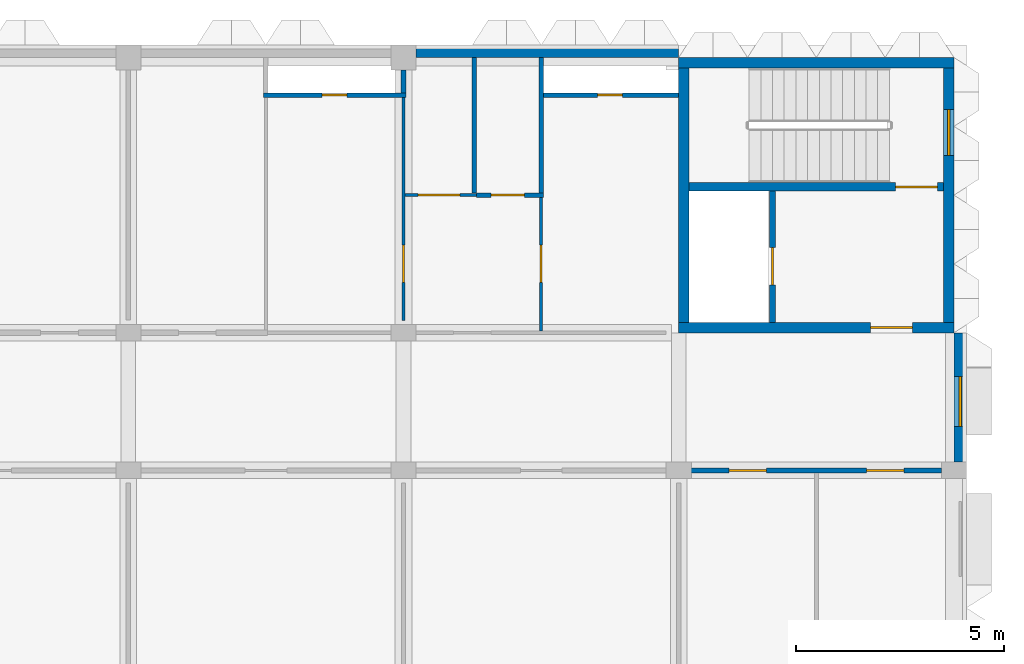
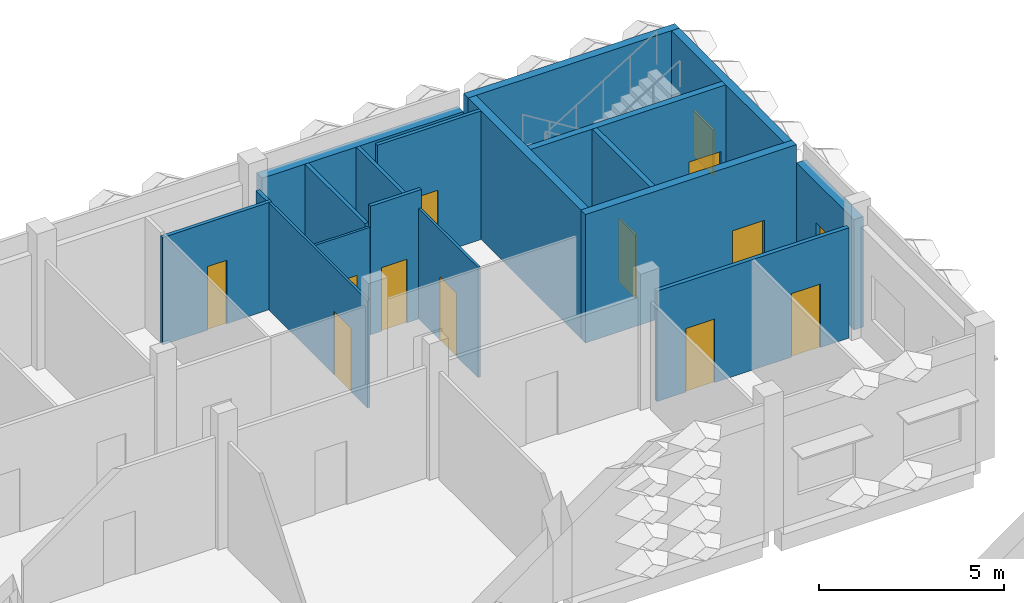
# One storey, part 39 of 87: 18 walls, 11 doors, 2 windows, 13 openings.
"""IFC4 building model written with IfcOpenShell, lengths in metres."""

import ifcopenshell
import ifcopenshell.guid

model = None  # the IFC model being written
_history = None  # IfcOwnerHistory: only IFC2X3 demands one
_inside = {}  # id of a spatial element -> (the spatial element, [elements in it])
_under = {}  # id of a project, library or spatial element -> (it, [spatial elements below it])
_declared = {}  # id of a project -> (the project, [libraries it declares])
_typed = {}  # id of a type object -> (the type object, [elements of that type])
_made_of = {}  # id of a material, layer set ... -> (it, [elements and type objects made of it])


def new_model(schema):
    """Start an empty IFC model of exactly this schema.

    Asked for "IFC4X3", IfcOpenShell would pick the latest addendum, in which some entities
    have other attributes; the version numbers below select the first issue.
    IFC2X3 requires an IfcOwnerHistory on every rooted entity: one is made here for all.
    """
    global model, _history
    if schema == "IFC4X3":
        model = ifcopenshell.file(schema_version=(4, 3, 0, 0))
    else:
        model = ifcopenshell.file(schema=schema)
    _inside.clear()
    _under.clear()
    _declared.clear()
    _typed.clear()
    _made_of.clear()
    _history = None
    if model.schema == "IFC2X3":
        org = make("IfcOrganization", Name="unknown")
        user = make(
            "IfcPersonAndOrganization",
            ThePerson=make("IfcPerson", FamilyName="unknown"),
            TheOrganization=org,
        )
        app = make(
            "IfcApplication",
            ApplicationDeveloper=org,
            Version="unknown",
            ApplicationFullName="unknown",
            ApplicationIdentifier="unknown",
        )
        _history = make(
            "IfcOwnerHistory",
            OwningUser=user,
            OwningApplication=app,
            ChangeAction="ADDED",
            CreationDate=0,
        )
    return model


def make(cls, **values):
    """One entity of the class cls with the attributes given. An attribute that is None is left unset."""
    return model.create_entity(
        cls, **{name: value for name, value in values.items() if value is not None}
    )


def rooted(cls, **values):
    """An entity with a GlobalId (a new one), such as an element, a storey or a relation."""
    return make(cls, GlobalId=ifcopenshell.guid.new(), OwnerHistory=_history, **values)


def si_unit(unit_type, name, prefix=None):
    """IfcSIUnit, for example si_unit("LENGTHUNIT", "METRE", prefix="MILLI")."""
    return make("IfcSIUnit", UnitType=unit_type, Prefix=prefix, Name=name)


def assignment(units):
    """IfcUnitAssignment: the units of a project."""
    return None if units is None else make("IfcUnitAssignment", Units=units)


def point(xyz):
    """IfcCartesianPoint."""
    return None if xyz is None else make("IfcCartesianPoint", Coordinates=xyz)


def direction(xyz):
    """IfcDirection."""
    return None if xyz is None else make("IfcDirection", DirectionRatios=xyz)


def frame(location, z_axis=None, x_axis=None):
    """IfcAxis2Placement3D, a coordinate frame: its origin and axes. An axis left out is left unset."""
    return make(
        "IfcAxis2Placement3D",
        Location=point(location),
        Axis=direction(z_axis),
        RefDirection=direction(x_axis),
    )


def frame_2d(location, x_axis=None):
    """IfcAxis2Placement2D, a coordinate frame in the plane: its origin and x axis."""
    return make(
        "IfcAxis2Placement2D", Location=point(location), RefDirection=direction(x_axis)
    )


def origin():
    """The frame at (0, 0, 0) with its axes left unset."""
    return frame((0.0, 0.0, 0.0))


def place(relative_to, where):
    """IfcLocalPlacement: puts the frame where relative to a parent placement (None: the world)."""
    return make(
        "IfcLocalPlacement", PlacementRelTo=relative_to, RelativePlacement=where
    )


def context(
    kind, dimensions, precision=None, world=None, true_north=None, identifier=None
):
    """IfcGeometricRepresentationContext, for example the 3D "Model" context."""
    return make(
        "IfcGeometricRepresentationContext",
        ContextIdentifier=identifier,
        ContextType=kind,
        CoordinateSpaceDimension=dimensions,
        Precision=precision,
        WorldCoordinateSystem=world,
        TrueNorth=true_north,
    )


def subcontext(parent, identifier, kind, view, scale=None):
    """IfcGeometricRepresentationSubContext, for example "Body" below "Model"."""
    return make(
        "IfcGeometricRepresentationSubContext",
        ContextIdentifier=identifier,
        ContextType=kind,
        ParentContext=parent,
        TargetScale=scale,
        TargetView=view,
    )


def project(units=None, contexts=None):
    """IfcProject with its units and contexts."""
    return rooted(
        "IfcProject",
        Name="project",
        RepresentationContexts=contexts,
        UnitsInContext=assignment(units),
    )


def spatial(cls, under=None, at=None, **own):
    """A site, building, storey or space (cls), placed at a placement, below another one or the project."""
    s = rooted(cls, ObjectPlacement=at, **own)
    if under is not None:
        _under.setdefault(under.id(), (under, []))[1].append(s)
    return s


def profile(cls, at=None, kind="AREA", **sizes):
    """A parametric profile (cls). Its sizes go by their IFC names, for example OverallWidth=200.0."""
    return make(cls, ProfileType=kind, Position=at, **sizes)


def rectangle(**sizes):
    """IfcRectangleProfileDef."""
    return profile("IfcRectangleProfileDef", **sizes)


def extrude(swept, where, along, depth):
    """IfcExtrudedAreaSolid: the profile swept, set in the frame where, extruded along a direction by depth."""
    return make(
        "IfcExtrudedAreaSolid",
        SweptArea=swept,
        Position=where,
        ExtrudedDirection=direction(along),
        Depth=depth,
    )


def shape(context_of_items, identifier, shape_type, items):
    """IfcShapeRepresentation: the items that make up one representation, for example the "Body"."""
    return make(
        "IfcShapeRepresentation",
        ContextOfItems=context_of_items,
        RepresentationIdentifier=identifier,
        RepresentationType=shape_type,
        Items=items,
    )


def material(Name=None, Category=None):
    """IfcMaterial."""
    return make("IfcMaterial", Name=Name, Category=Category)


def layer(
    of_material, thickness, ventilated=None, Name=None, Category=None, Priority=None
):
    """IfcMaterialLayer: one layer of a wall or slab, of a material (None: an air gap)."""
    return make(
        "IfcMaterialLayer",
        Material=of_material,
        LayerThickness=thickness,
        IsVentilated=ventilated,
        Name=Name,
        Category=Category,
        Priority=Priority,
    )


def layer_set(layers, Name=None):
    """IfcMaterialLayerSet."""
    return make("IfcMaterialLayerSet", MaterialLayers=layers, LayerSetName=Name)


def made_of(thing, what):
    """Note that an element or type object is made of a material, layer set ...; save() writes the relation."""
    if what is not None:
        _made_of.setdefault(what.id(), (what, []))[1].append(thing)
    return thing


def type_object(cls, material=None, **own):
    """A type object (cls), such as IfcWallType, which elements share."""
    return made_of(rooted(cls, **own), material)


def element(
    cls,
    number,
    at=None,
    inside=None,
    cuts=None,
    type_object=None,
    material=None,
    context=None,
    identifier="Body",
    shape_type=None,
    held_by="IfcProductDefinitionShape",
    body=None,
    shapes=None,
    **own,
):
    """One element of the class cls, such as IfcWall. Its Tag is "e" and its number.

    at: its placement. inside: the storey or other place that contains it. cuts: it is an
    opening in that element (IfcRelVoidsElement). A single representation is given by context,
    identifier, shape_type and body (its items); several are given by shapes. held_by: the class
    of the entity that holds the representations. save() writes the other relations.
    """
    e = rooted(cls, Tag="e%d" % number, ObjectPlacement=at, **own)
    if body is not None:
        shapes = [shape(context, identifier, shape_type, body)]
    if shapes is not None:
        e.Representation = make(held_by, Representations=shapes)
    if inside is not None:
        _inside.setdefault(inside.id(), (inside, []))[1].append(e)
    if cuts is not None:
        rooted(
            "IfcRelVoidsElement", RelatingBuildingElement=cuts, RelatedOpeningElement=e
        )
    if type_object is not None:
        _typed.setdefault(type_object.id(), (type_object, []))[1].append(e)
    return made_of(e, material)


def fill(opening, filler):
    """IfcRelFillsElement: the door or window that sits in an opening."""
    return rooted(
        "IfcRelFillsElement",
        RelatingOpeningElement=opening,
        RelatedBuildingElement=filler,
    )


def aggregate(whole, parts):
    """IfcRelAggregates: a whole, such as a stair, and the parts it consists of."""
    return rooted("IfcRelAggregates", RelatingObject=whole, RelatedObjects=parts)


def save(model, path):
    """Write the relations noted so far, then the file.

    IfcRelAggregates (storeys below a building ...), IfcRelContainedInSpatialStructure (elements
    in a storey), IfcRelDefinesByType, IfcRelAssociatesMaterial and IfcRelDeclares: one each for
    every whole, place, type object, material and project.
    """
    for whole, parts in _under.values():
        aggregate(whole, parts)
    for where, things in _inside.values():
        rooted(
            "IfcRelContainedInSpatialStructure",
            RelatedElements=things,
            RelatingStructure=where,
        )
    for kind, things in _typed.values():
        rooted("IfcRelDefinesByType", RelatedObjects=things, RelatingType=kind)
    for what, things in _made_of.values():
        rooted("IfcRelAssociatesMaterial", RelatedObjects=things, RelatingMaterial=what)
    for by, libraries in _declared.values():
        rooted("IfcRelDeclares", RelatingContext=by, RelatedDefinitions=libraries)
    model.write(path)


model = new_model("IFC4")

# Units and contexts
model_context = context("Model", 3, precision=1e-05, world=origin(), true_north=direction((0.0, 1.0)))
body_context = subcontext(model_context, "Body", "Model", "MODEL_VIEW")
ifc_project = project(units=[si_unit("LENGTHUNIT", "METRE"), si_unit("AREAUNIT", "SQUARE_METRE"), si_unit("VOLUMEUNIT", "CUBIC_METRE"), si_unit("PLANEANGLEUNIT", "RADIAN"), si_unit("MASSUNIT", "GRAM", prefix="KILO")], contexts=[model_context])

# Site, building, storey
site_placement = place(None, origin())
site = spatial("IfcSite", under=ifc_project, at=site_placement, CompositionType="ELEMENT")
building_placement = place(site_placement, origin())
building = spatial("IfcBuilding", under=site, at=building_placement, Name="Lantern Court Research Institute", CompositionType="ELEMENT")
storey_placement = place(building_placement, frame((0.0, 0.0, 5.39990234375)))
storey = spatial("IfcBuildingStorey", under=building, at=storey_placement, Name="L01", CompositionType="ELEMENT", Elevation=5.39990234375)

# Wall, opening, window
ifc_material_1 = material(Name="Concrete C30/37", Category="concrete")
ifc_layer_1 = layer(ifc_material_1, 0.300048828125)
ifc_layer_set_1 = layer_set([ifc_layer_1], Name="Concrete C30/37")
wall_type_1 = type_object("IfcWallType", Name="Insulated concrete infill wall 300", PredefinedType="STANDARD", material=ifc_layer_set_1)
wall_1_placement = place(storey_placement, frame((79.35009765625, 92.39990234375, 0.0), z_axis=(0.0, 0.0, 1.0), x_axis=(0.0, -1.0, 0.0)))
wall_1 = element("IfcWall", 1, at=wall_1_placement, inside=storey, type_object=wall_type_1, Name="Exterior wall EW108", PredefinedType="STANDARD", context=body_context, shape_type="SweptSolid", body=[
    extrude(rectangle(XDim=3.099853515625, YDim=0.300048828125, at=frame_2d((1.5498046875, 0.0))), origin(), (0.0, 0.0, 1.0), 3.650146484375),
])
opening_1_placement = place(wall_1_placement, frame((1.050048828125, 0.0, 1.10009765625)))
opening_1 = element("IfcOpeningElement", 2, at=opening_1_placement, cuts=wall_1, Name="Opening W05", PredefinedType="OPENING", context=body_context, shape_type="SweptSolid", body=[
    extrude(rectangle(XDim=1.199951171875, YDim=1.199951171875, at=frame_2d((0.60009765625, 0.60009765625))), frame((0.0, 0.159912109375, 0.0), z_axis=(0.0, -1.0, 0.0), x_axis=(1.0, 0.0, 0.0)), (0.0, 0.0, 1.0), 0.320068359375),
])
ifc_material_2 = material(Name="Aluminium frame with laminated low-emissivity glazing", Category="aluminium")
window_type_1 = type_object("IfcWindowType", Name="Corridor end window 1200 x 1200", PartitioningType="SINGLE_PANEL", PredefinedType="WINDOW", material=ifc_material_2)
window_1_placement = place(opening_1_placement, origin())
window_1 = element("IfcWindow", 3, at=window_1_placement, inside=storey, type_object=window_type_1, Name="Window W05 V6E L01", OverallHeight=1.199951171875, OverallWidth=1.199951171875, PartitioningType="SINGLE_PANEL", PredefinedType="WINDOW", context=body_context, shape_type="SweptSolid", body=[
    extrude(rectangle(XDim=1.199951171875, YDim=1.199951171875, at=frame_2d((0.60009765625, 0.60009765625))), frame((0.0, 0.030029296875, 0.0), z_axis=(0.0, -1.0, 0.0), x_axis=(1.0, 0.0, 0.0)), (0.0, 0.0, 1.0), 0.06005859375),
])
fill(opening_1, window_1)

# Wall
ifc_material_3 = material(Name="Concrete C30/37", Category="concrete")
ifc_layer_2 = layer(ifc_material_3, 0.300048828125)
ifc_layer_set_2 = layer_set([ifc_layer_2], Name="Concrete C30/37")
wall_type_2 = type_object("IfcWallType", Name="Party wall 300 concrete EI 120", PredefinedType="STANDARD", material=ifc_layer_set_2)
wall_2_placement = place(storey_placement, frame((66.300048828125, 99.14990234375, 0.0), z_axis=(0.0, 0.0, 1.0), x_axis=(1.0, 0.0, 0.0)))
element("IfcWall", 4, at=wall_2_placement, inside=storey, type_object=wall_type_2, Name="Exterior wall EW118", PredefinedType="STANDARD", context=body_context, shape_type="SweptSolid", body=[
    extrude(rectangle(XDim=6.300048828125, YDim=0.300048828125, at=frame_2d((3.14990234375, 0.0))), origin(), (0.0, 0.0, 1.0), 3.650146484375),
])

# Wall, openings, doors
ifc_material_4 = material(Name="Gypsum board on metal studs")
ifc_layer_3 = layer(ifc_material_4, 0.125)
ifc_layer_set_3 = layer_set([ifc_layer_3], Name="Gypsum board on metal studs")
wall_type_3 = type_object("IfcWallType", Name="Protected corridor partition 125 mm EI 30", PredefinedType="PARTITIONING", material=ifc_layer_set_3)
wall_3_placement = place(storey_placement, frame((78.89990234375, 89.10009765625, 0.0), z_axis=(0.0, 0.0, 1.0), x_axis=(-1.0, 0.0, 0.0)))
wall_3 = element("IfcWall", 5, at=wall_3_placement, inside=storey, type_object=wall_type_3, Name="Wall V6-L01-010", PredefinedType="PARTITIONING", context=body_context, shape_type="SweptSolid", body=[
    extrude(rectangle(XDim=6.0, YDim=0.125, at=frame_2d((3.0, 0.0))), origin(), (0.0, 0.0, 1.0), 3.650146484375),
])
opening_2_placement = place(wall_3_placement, frame((4.199951171875, 0.0, 0.0)))
opening_2 = element("IfcOpeningElement", 6, at=opening_2_placement, cuts=wall_3, Name="Opening D6116", PredefinedType="OPENING", context=body_context, shape_type="SweptSolid", body=[
    extrude(rectangle(XDim=0.89990234375, YDim=2.10009765625, at=frame_2d((0.449951171875, 1.050048828125))), frame((0.0, 0.072509765625, 0.0), z_axis=(0.0, -1.0, 0.0), x_axis=(1.0, 0.0, 0.0)), (0.0, 0.0, 1.0), 0.14501953125),
])
opening_3_placement = place(wall_3_placement, frame((0.89990234375, 0.0, 0.0)))
opening_3 = element("IfcOpeningElement", 7, at=opening_3_placement, cuts=wall_3, Name="Opening D6117", PredefinedType="OPENING", context=body_context, shape_type="SweptSolid", body=[
    extrude(rectangle(XDim=0.89990234375, YDim=2.10009765625, at=frame_2d((0.449951171875, 1.050048828125))), frame((0.0, 0.072509765625, 0.0), z_axis=(0.0, -1.0, 0.0), x_axis=(1.0, 0.0, 0.0)), (0.0, 0.0, 1.0), 0.14501953125),
])
ifc_material_5 = material(Name="Timber veneered door leaf", Category="wood")
door_type_1 = type_object("IfcDoorType", Name="Door 900 x 2100 timber FD30S", OperationType="NOTDEFINED", PredefinedType="DOOR", material=ifc_material_5)
door_1_placement = place(opening_2_placement, origin())
door_1 = element("IfcDoor", 8, at=door_1_placement, inside=storey, type_object=door_type_1, Name="Door D6116", OperationType="SINGLE_SWING_RIGHT", OverallHeight=2.10009765625, OverallWidth=0.89990234375, PredefinedType="DOOR", context=body_context, shape_type="SweptSolid", body=[
    extrude(rectangle(XDim=0.89990234375, YDim=2.10009765625, at=frame_2d((0.449951171875, 1.050048828125))), frame((0.0, 0.02490234375, 0.0), z_axis=(0.0, -1.0, 0.0), x_axis=(1.0, 0.0, 0.0)), (0.0, 0.0, 1.0), 0.050048828125),
])
fill(opening_2, door_1)
door_2_placement = place(opening_3_placement, origin())
door_2 = element("IfcDoor", 9, at=door_2_placement, inside=storey, type_object=door_type_1, Name="Door D6117", OperationType="SINGLE_SWING_RIGHT", OverallHeight=2.10009765625, OverallWidth=0.89990234375, PredefinedType="DOOR", context=body_context, shape_type="SweptSolid", body=[
    extrude(rectangle(XDim=0.89990234375, YDim=2.10009765625, at=frame_2d((0.449951171875, 1.050048828125))), frame((0.0, 0.02490234375, 0.0), z_axis=(0.0, -1.0, 0.0), x_axis=(1.0, 0.0, 0.0)), (0.0, 0.0, 1.0), 0.050048828125),
])
fill(opening_3, door_2)

# Wall, opening, door
ifc_material_6 = material(Name="Concrete C40/50", Category="concrete")
ifc_layer_4 = layer(ifc_material_6, 0.25)
ifc_layer_set_4 = layer_set([ifc_layer_4], Name="Concrete C40/50")
wall_type_4 = type_object("IfcWallType", Name="RC core wall 250", PredefinedType="SHEAR", material=ifc_layer_set_4)
wall_4_placement = place(storey_placement, frame((72.60009765625, 92.52490234375, 0.0), z_axis=(0.0, 0.0, 1.0), x_axis=(1.0, 0.0, 0.0)))
wall_4 = element("IfcWall", 10, at=wall_4_placement, inside=storey, type_object=wall_type_4, Name="South wall of core WC-E", PredefinedType="SHEAR", context=body_context, shape_type="SweptSolid", body=[
    extrude(rectangle(XDim=6.599853515625, YDim=0.25, at=frame_2d((3.2998046875, 0.0))), origin(), (0.0, 0.0, 1.0), 4.25),
])
opening_4_placement = place(wall_4_placement, frame((4.60009765625, 0.0, 0.0)))
opening_4 = element("IfcOpeningElement", 11, at=opening_4_placement, cuts=wall_4, Name="Opening D7262", PredefinedType="OPENING", context=body_context, shape_type="SweptSolid", body=[
    extrude(rectangle(XDim=1.0, YDim=2.10009765625, at=frame_2d((0.5, 1.050048828125))), frame((0.0, 0.135009765625, 0.0), z_axis=(0.0, -1.0, 0.0), x_axis=(1.0, 0.0, 0.0)), (0.0, 0.0, 1.0), 0.27001953125),
])
ifc_material_7 = material(Name="Steel fire door leaf with smoke seals", Category="steel")
door_type_2 = type_object("IfcDoorType", Name="Door 1000 x 2100 fire rated FD60S", OperationType="NOTDEFINED", PredefinedType="DOOR", material=ifc_material_7)
door_3_placement = place(opening_4_placement, origin())
door_3 = element("IfcDoor", 12, at=door_3_placement, inside=storey, type_object=door_type_2, Name="Lobby door", OperationType="SINGLE_SWING_LEFT", OverallHeight=2.10009765625, OverallWidth=1.0, PredefinedType="DOOR", context=body_context, shape_type="SweptSolid", body=[
    extrude(rectangle(XDim=1.0, YDim=2.10009765625, at=frame_2d((0.5, 1.050048828125))), frame((0.0, 0.02490234375, 0.0), z_axis=(0.0, -1.0, 0.0), x_axis=(1.0, 0.0, 0.0)), (0.0, 0.0, 1.0), 0.050048828125),
])
fill(opening_4, door_3)

# Walls
wall_5_placement = place(storey_placement, frame((72.72509765625, 92.64990234375, 0.0), z_axis=(0.0, 0.0, 1.0), x_axis=(0.0, 1.0, 0.0)))
element("IfcWall", 13, at=wall_5_placement, inside=storey, type_object=wall_type_4, Name="West wall of core WC-E", PredefinedType="SHEAR", context=body_context, shape_type="SweptSolid", body=[
    extrude(rectangle(XDim=6.10009765625, YDim=0.25, at=frame_2d((3.050048828125, 0.0))), origin(), (0.0, 0.0, 1.0), 4.25),
])
ifc_material_8 = material(Name="Concrete C40/50", Category="concrete")
ifc_layer_5 = layer(ifc_material_8, 0.25)
ifc_layer_set_5 = layer_set([ifc_layer_5], Name="Concrete C40/50")
wall_type_5 = type_object("IfcWallType", Name="RC core wall 250 facade", PredefinedType="SHEAR", material=ifc_layer_set_5)
wall_6_placement = place(storey_placement, frame((72.60009765625, 98.875, 0.0), z_axis=(0.0, 0.0, 1.0), x_axis=(1.0, 0.0, 0.0)))
element("IfcWall", 14, at=wall_6_placement, inside=storey, type_object=wall_type_5, Name="North wall of core WC-E", PredefinedType="SHEAR", context=body_context, shape_type="SweptSolid", body=[
    extrude(rectangle(XDim=6.599853515625, YDim=0.25, at=frame_2d((3.2998046875, 0.0))), origin(), (0.0, 0.0, 1.0), 4.25),
])

# Wall, opening, window
wall_7_placement = place(storey_placement, frame((79.074951171875, 92.64990234375, 0.0), z_axis=(0.0, 0.0, 1.0), x_axis=(0.0, 1.0, 0.0)))
wall_7 = element("IfcWall", 15, at=wall_7_placement, inside=storey, type_object=wall_type_5, Name="East wall of core WC-E", PredefinedType="SHEAR", context=body_context, shape_type="SweptSolid", body=[
    extrude(rectangle(XDim=6.10009765625, YDim=0.25, at=frame_2d((3.050048828125, 0.0))), origin(), (0.0, 0.0, 1.0), 4.25),
])
opening_5_placement = place(wall_7_placement, frame((4.0, 0.0, 0.699951171875)))
opening_5 = element("IfcOpeningElement", 16, at=opening_5_placement, cuts=wall_7, Name="Opening W5", PredefinedType="OPENING", context=body_context, shape_type="SweptSolid", body=[
    extrude(rectangle(XDim=1.10009765625, YDim=1.5, at=frame_2d((0.550048828125, 0.75))), frame((0.0, 0.135009765625, 0.0), z_axis=(0.0, -1.0, 0.0), x_axis=(1.0, 0.0, 0.0)), (0.0, 0.0, 1.0), 0.27001953125),
])
ifc_material_9 = material(Name="Aluminium alloy 6063-T6 frame with laminated glass", Category="aluminium")
window_type_2 = type_object("IfcWindowType", Name="Stair window 1100 x 1500", PartitioningType="SINGLE_PANEL", PredefinedType="WINDOW", material=ifc_material_9)
window_2_placement = place(opening_5_placement, origin())
window_2 = element("IfcWindow", 17, at=window_2_placement, inside=storey, type_object=window_type_2, Name="Stair window", OverallHeight=1.5, OverallWidth=1.10009765625, PartitioningType="SINGLE_PANEL", PredefinedType="WINDOW", context=body_context, shape_type="SweptSolid", body=[
    extrude(rectangle(XDim=1.10009765625, YDim=1.5, at=frame_2d((0.550048828125, 0.75))), frame((0.0, 0.030029296875, 0.0), z_axis=(0.0, -1.0, 0.0), x_axis=(1.0, 0.0, 0.0)), (0.0, 0.0, 1.0), 0.06005859375),
])
fill(opening_5, window_2)

# Wall, opening, door
ifc_material_10 = material(Name="Concrete C40/50", Category="concrete")
ifc_layer_6 = layer(ifc_material_10, 0.14990234375)
ifc_layer_set_6 = layer_set([ifc_layer_6], Name="Concrete C40/50")
wall_type_6 = type_object("IfcWallType", Name="RC shaft wall 150", PredefinedType="SHEAR", material=ifc_layer_set_6)
wall_8_placement = place(storey_placement, frame((74.85009765625, 92.64990234375, 0.0), z_axis=(0.0, 0.0, 1.0), x_axis=(0.0, 1.0, 0.0)))
wall_8 = element("IfcWall", 18, at=wall_8_placement, inside=storey, type_object=wall_type_6, Name="Riser wall of core WC-E", PredefinedType="SHEAR", context=body_context, shape_type="SweptSolid", body=[
    extrude(rectangle(XDim=3.150146484375, YDim=0.14990234375, at=frame_2d((1.5751953125, 0.0))), origin(), (0.0, 0.0, 1.0), 4.25),
])
opening_6_placement = place(wall_8_placement, frame((0.89990234375, 0.0, 0.0)))
opening_6 = element("IfcOpeningElement", 19, at=opening_6_placement, cuts=wall_8, Name="Opening D7261", PredefinedType="OPENING", context=body_context, shape_type="SweptSolid", body=[
    extrude(rectangle(XDim=0.89990234375, YDim=2.10009765625, at=frame_2d((0.449951171875, 1.050048828125))), frame((0.0, 0.0849609375, 0.0), z_axis=(0.0, -1.0, 0.0), x_axis=(1.0, 0.0, 0.0)), (0.0, 0.0, 1.0), 0.169921875),
])
ifc_material_11 = material(Name="Steel fire door leaf", Category="steel")
door_type_3 = type_object("IfcDoorType", Name="Door 900 x 2100 fire rated FD60", OperationType="NOTDEFINED", PredefinedType="DOOR", material=ifc_material_11)
door_4_placement = place(opening_6_placement, origin())
door_4 = element("IfcDoor", 20, at=door_4_placement, inside=storey, type_object=door_type_3, Name="Riser door", OperationType="SINGLE_SWING_LEFT", OverallHeight=2.10009765625, OverallWidth=0.89990234375, PredefinedType="DOOR", context=body_context, shape_type="SweptSolid", body=[
    extrude(rectangle(XDim=0.89990234375, YDim=2.10009765625, at=frame_2d((0.449951171875, 1.050048828125))), frame((0.0, 0.02490234375, 0.0), z_axis=(0.0, -1.0, 0.0), x_axis=(1.0, 0.0, 0.0)), (0.0, 0.0, 1.0), 0.050048828125),
])
fill(opening_6, door_4)

ifc_material_12 = material(Name="Concrete C40/50", Category="concrete")
ifc_layer_7 = layer(ifc_material_12, 0.199951171875)
ifc_layer_set_7 = layer_set([ifc_layer_7], Name="Concrete C40/50")
wall_type_7 = type_object("IfcWallType", Name="RC shaft wall 200", PredefinedType="SHEAR", material=ifc_layer_set_7)
wall_9_placement = place(storey_placement, frame((72.85009765625, 95.89990234375, 0.0), z_axis=(0.0, 0.0, 1.0), x_axis=(1.0, 0.0, 0.0)))
wall_9 = element("IfcWall", 21, at=wall_9_placement, inside=storey, type_object=wall_type_7, Name="Stair wall of core WC-E", PredefinedType="SHEAR", context=body_context, shape_type="SweptSolid", body=[
    extrude(rectangle(XDim=6.099853515625, YDim=0.199951171875, at=frame_2d((3.0498046875, 0.0))), origin(), (0.0, 0.0, 1.0), 4.25),
])
opening_7_placement = place(wall_9_placement, frame((4.949951171875, 0.0, 0.0)))
opening_7 = element("IfcOpeningElement", 22, at=opening_7_placement, cuts=wall_9, Name="Opening D7263", PredefinedType="OPENING", context=body_context, shape_type="SweptSolid", body=[
    extrude(rectangle(XDim=1.0, YDim=2.10009765625, at=frame_2d((0.5, 1.050048828125))), frame((0.0, 0.10986328125, 0.0), z_axis=(0.0, -1.0, 0.0), x_axis=(1.0, 0.0, 0.0)), (0.0, 0.0, 1.0), 0.219970703125),
])
door_5_placement = place(opening_7_placement, origin())
door_5 = element("IfcDoor", 23, at=door_5_placement, inside=storey, type_object=door_type_2, Name="Stair door", OperationType="SINGLE_SWING_LEFT", OverallHeight=2.10009765625, OverallWidth=1.0, PredefinedType="DOOR", context=body_context, shape_type="SweptSolid", body=[
    extrude(rectangle(XDim=1.0, YDim=2.10009765625, at=frame_2d((0.5, 1.050048828125))), frame((0.0, 0.02490234375, 0.0), z_axis=(0.0, -1.0, 0.0), x_axis=(1.0, 0.0, 0.0)), (0.0, 0.0, 1.0), 0.050048828125),
])
fill(opening_7, door_5)

ifc_material_13 = material(Name="Fire-rated gypsum board on metal studs")
ifc_layer_8 = layer(ifc_material_13, 0.110107421875)
ifc_layer_set_8 = layer_set([ifc_layer_8], Name="Fire-rated gypsum board on metal studs")
wall_type_8 = type_object("IfcWallType", Name="Riser wall 110 mm EI 60", PredefinedType="PARTITIONING", material=ifc_layer_set_8)
wall_10_placement = place(storey_placement, frame((67.7548828125, 95.699951171875, 0.0), z_axis=(0.0, 0.0, 1.0), x_axis=(1.0, 0.0, 0.0)))
wall_10 = element("IfcWall", 24, at=wall_10_placement, inside=storey, type_object=wall_type_8, Name="Wall V6-L01-026", PredefinedType="PARTITIONING", context=body_context, shape_type="SweptSolid", body=[
    extrude(rectangle(XDim=1.60009765625, YDim=0.110107421875, at=frame_2d((0.800048828125, 0.0))), origin(), (0.0, 0.0, 1.0), 4.25),
])
opening_8_placement = place(wall_10_placement, frame((0.344970703125, 0.0, 0.0)))
opening_8 = element("IfcOpeningElement", 25, at=opening_8_placement, cuts=wall_10, Name="Opening D6137", PredefinedType="OPENING", context=body_context, shape_type="SweptSolid", body=[
    extrude(rectangle(XDim=0.800048828125, YDim=2.10009765625, at=frame_2d((0.39990234375, 1.050048828125))), frame((0.0, 0.06494140625, 0.0), z_axis=(0.0, -1.0, 0.0), x_axis=(1.0, 0.0, 0.0)), (0.0, 0.0, 1.0), 0.130126953125),
])
ifc_material_14 = material(Name="Coated metal door leaf")
door_type_4 = type_object("IfcDoorType", Name="Door 800 x 2100 cleaners store FD60", OperationType="NOTDEFINED", PredefinedType="DOOR", material=ifc_material_14)
door_6_placement = place(opening_8_placement, origin())
door_6 = element("IfcDoor", 26, at=door_6_placement, inside=storey, type_object=door_type_4, Name="Door D6137", OperationType="SINGLE_SWING_LEFT", OverallHeight=2.10009765625, OverallWidth=0.800048828125, PredefinedType="DOOR", context=body_context, shape_type="SweptSolid", body=[
    extrude(rectangle(XDim=0.800048828125, YDim=2.10009765625, at=frame_2d((0.39990234375, 1.050048828125))), frame((0.0, 0.02490234375, 0.0), z_axis=(0.0, -1.0, 0.0), x_axis=(1.0, 0.0, 0.0)), (0.0, 0.0, 1.0), 0.050048828125),
])
fill(opening_8, door_6)

wall_11_placement = place(storey_placement, frame((66.054931640625, 98.10009765625, 0.0), z_axis=(0.0, 0.0, 1.0), x_axis=(-1.0, 0.0, 0.0)))
wall_11 = element("IfcWall", 27, at=wall_11_placement, inside=storey, type_object=wall_type_8, Name="Wall V6-L01-029", PredefinedType="PARTITIONING", context=body_context, shape_type="SweptSolid", body=[
    extrude(rectangle(XDim=3.409912109375, YDim=0.110107421875, at=frame_2d((1.705078125, 0.0))), origin(), (0.0, 0.0, 1.0), 3.550048828125),
])
opening_9_placement = place(wall_11_placement, frame((1.405029296875, 0.0, 0.0)))
opening_9 = element("IfcOpeningElement", 28, at=opening_9_placement, cuts=wall_11, Name="Opening D6140", PredefinedType="OPENING", context=body_context, shape_type="SweptSolid", body=[
    extrude(rectangle(XDim=0.60009765625, YDim=2.10009765625, at=frame_2d((0.300048828125, 1.050048828125))), frame((0.0, 0.06494140625, 0.0), z_axis=(0.0, -1.0, 0.0), x_axis=(1.0, 0.0, 0.0)), (0.0, 0.0, 1.0), 0.130126953125),
])
ifc_material_15 = material(Name="Coated metal door leaf")
door_type_5 = type_object("IfcDoorType", Name="Door 600 x 2100 riser FD60", OperationType="NOTDEFINED", PredefinedType="DOOR", material=ifc_material_15)
door_7_placement = place(opening_9_placement, origin())
door_7 = element("IfcDoor", 29, at=door_7_placement, inside=storey, type_object=door_type_5, Name="Door D6140", OperationType="SINGLE_SWING_RIGHT", OverallHeight=2.10009765625, OverallWidth=0.60009765625, PredefinedType="DOOR", context=body_context, shape_type="SweptSolid", body=[
    extrude(rectangle(XDim=0.60009765625, YDim=2.10009765625, at=frame_2d((0.300048828125, 1.050048828125))), frame((0.0, 0.02490234375, 0.0), z_axis=(0.0, -1.0, 0.0), x_axis=(1.0, 0.0, 0.0)), (0.0, 0.0, 1.0), 0.050048828125),
])
fill(opening_9, door_7)

wall_12_placement = place(storey_placement, frame((72.60009765625, 98.10009765625, 0.0), z_axis=(0.0, 0.0, 1.0), x_axis=(-1.0, 0.0, 0.0)))
wall_12 = element("IfcWall", 30, at=wall_12_placement, inside=storey, type_object=wall_type_8, Name="Wall V6-L01-030", PredefinedType="PARTITIONING", context=body_context, shape_type="SweptSolid", body=[
    extrude(rectangle(XDim=3.2451171875, YDim=0.110107421875, at=frame_2d((1.62255859375, 0.0))), origin(), (0.0, 0.0, 1.0), 4.25),
])
opening_10_placement = place(wall_12_placement, frame((1.35009765625, 0.0, 0.0)))
opening_10 = element("IfcOpeningElement", 31, at=opening_10_placement, cuts=wall_12, Name="Opening D6141", PredefinedType="OPENING", context=body_context, shape_type="SweptSolid", body=[
    extrude(rectangle(XDim=0.60009765625, YDim=2.10009765625, at=frame_2d((0.300048828125, 1.050048828125))), frame((0.0, 0.06494140625, 0.0), z_axis=(0.0, -1.0, 0.0), x_axis=(1.0, 0.0, 0.0)), (0.0, 0.0, 1.0), 0.130126953125),
])
door_8_placement = place(opening_10_placement, origin())
door_8 = element("IfcDoor", 32, at=door_8_placement, inside=storey, type_object=door_type_5, Name="Door D6141", OperationType="SINGLE_SWING_LEFT", OverallHeight=2.10009765625, OverallWidth=0.60009765625, PredefinedType="DOOR", context=body_context, shape_type="SweptSolid", body=[
    extrude(rectangle(XDim=0.60009765625, YDim=2.10009765625, at=frame_2d((0.300048828125, 1.050048828125))), frame((0.0, 0.02490234375, 0.0), z_axis=(0.0, -1.0, 0.0), x_axis=(1.0, 0.0, 0.0)), (0.0, 0.0, 1.0), 0.050048828125),
])
fill(opening_10, door_8)

# Walls
wall_13_placement = place(storey_placement, frame((66.0, 98.155029296875, 0.0), z_axis=(0.0, 0.0, 1.0), x_axis=(0.0, 1.0, 0.0)))
element("IfcWall", 33, at=wall_13_placement, inside=storey, type_object=wall_type_8, Name="Wall V6-L01-067", PredefinedType="PARTITIONING", context=body_context, shape_type="SweptSolid", body=[
    extrude(rectangle(XDim=0.544921875, YDim=0.110107421875, at=frame_2d((0.2724609375, 0.0))), origin(), (0.0, 0.0, 1.0), 3.550048828125),
])
for number, where, z_axis, x_axis, name in (
    (34, (67.699951171875, 95.7548828125, 0.0), (0.0, 0.0, 1.0), (0.0, 1.0, 0.0), "Wall V6-L01-068"),
    (35, (69.300048828125, 95.7548828125, 0.0), (0.0, 0.0, 1.0), (0.0, 1.0, 0.0), "Wall V6-L01-070"),
):
    element("IfcWall", number, at=place(storey_placement, frame(where, z_axis=z_axis, x_axis=x_axis)), inside=storey, type_object=wall_type_8, Name=name, PredefinedType="PARTITIONING", context=body_context, shape_type="SweptSolid", body=[
        extrude(rectangle(XDim=3.2451171875, YDim=0.110107421875, at=frame_2d((1.62255859375, 0.0))), origin(), (0.0, 0.0, 1.0), 3.650146484375),
    ])

# Wall, opening, door
ifc_material_16 = material(Name="Gypsum board on metal studs")
ifc_layer_9 = layer(ifc_material_16, 0.074951171875)
ifc_layer_set_9 = layer_set([ifc_layer_9], Name="Gypsum board on metal studs")
wall_type_9 = type_object("IfcWallType", Name="Service partition 75 mm", PredefinedType="PARTITIONING", material=ifc_layer_set_9)
wall_14_placement = place(storey_placement, frame((67.7548828125, 95.699951171875, 0.0), z_axis=(0.0, 0.0, 1.0), x_axis=(-1.0, 0.0, 0.0)))
wall_14 = element("IfcWall", 36, at=wall_14_placement, inside=storey, type_object=wall_type_9, Name="Wall V6-L01-025", PredefinedType="PARTITIONING", context=body_context, shape_type="SweptSolid", body=[
    extrude(rectangle(XDim=1.7177734375, YDim=0.074951171875, at=frame_2d((0.85888671875, 0.0))), origin(), (0.0, 0.0, 1.0), 3.550048828125),
])
opening_11_placement = place(wall_14_placement, frame((0.405029296875, 0.0, 0.0)))
opening_11 = element("IfcOpeningElement", 37, at=opening_11_placement, cuts=wall_14, Name="Opening D6136", PredefinedType="OPENING", context=body_context, shape_type="SweptSolid", body=[
    extrude(rectangle(XDim=1.0, YDim=2.10009765625, at=frame_2d((0.5, 1.050048828125))), frame((0.0, 0.04736328125, 0.0), z_axis=(0.0, -1.0, 0.0), x_axis=(1.0, 0.0, 0.0)), (0.0, 0.0, 1.0), 0.094970703125),
])
ifc_material_17 = material(Name="Timber veneered door leaf", Category="wood")
door_type_6 = type_object("IfcDoorType", Name="Door 1000 x 2100 accessible WC", OperationType="NOTDEFINED", PredefinedType="DOOR", material=ifc_material_17)
door_9_placement = place(opening_11_placement, origin())
door_9 = element("IfcDoor", 38, at=door_9_placement, inside=storey, type_object=door_type_6, Name="Door D6136", OperationType="SINGLE_SWING_RIGHT", OverallHeight=2.10009765625, OverallWidth=1.0, PredefinedType="DOOR", context=body_context, shape_type="SweptSolid", body=[
    extrude(rectangle(XDim=1.0, YDim=2.10009765625, at=frame_2d((0.5, 1.050048828125))), frame((0.0, 0.02490234375, 0.0), z_axis=(0.0, -1.0, 0.0), x_axis=(1.0, 0.0, 0.0)), (0.0, 0.0, 1.0), 0.050048828125),
])
fill(opening_11, door_9)

wall_15_placement = place(storey_placement, frame((66.0, 92.699951171875, 0.0), z_axis=(0.0, 0.0, 1.0), x_axis=(0.0, 1.0, 0.0)))
wall_15 = element("IfcWall", 39, at=wall_15_placement, inside=storey, type_object=wall_type_9, Name="Wall V6-L01-066", PredefinedType="PARTITIONING", context=body_context, shape_type="SweptSolid", body=[
    extrude(rectangle(XDim=5.344970703125, YDim=0.074951171875, at=frame_2d((2.67236328125, 0.0))), origin(), (0.0, 0.0, 1.0), 3.550048828125),
])
opening_12_placement = place(wall_15_placement, frame((0.89990234375, 0.0, 0.0)))
opening_12 = element("IfcOpeningElement", 40, at=opening_12_placement, cuts=wall_15, Name="Opening D6144", PredefinedType="OPENING", context=body_context, shape_type="SweptSolid", body=[
    extrude(rectangle(XDim=0.89990234375, YDim=2.10009765625, at=frame_2d((0.449951171875, 1.050048828125))), frame((0.0, 0.04736328125, 0.0), z_axis=(0.0, -1.0, 0.0), x_axis=(1.0, 0.0, 0.0)), (0.0, 0.0, 1.0), 0.094970703125),
])
ifc_material_18 = material(Name="Timber veneered door leaf", Category="wood")
door_type_7 = type_object("IfcDoorType", Name="Door 900 x 2100 WC", OperationType="NOTDEFINED", PredefinedType="DOOR", material=ifc_material_18)
door_10_placement = place(opening_12_placement, origin())
door_10 = element("IfcDoor", 41, at=door_10_placement, inside=storey, type_object=door_type_7, Name="Door D6144", OperationType="SINGLE_SWING_LEFT", OverallHeight=2.10009765625, OverallWidth=0.89990234375, PredefinedType="DOOR", context=body_context, shape_type="SweptSolid", body=[
    extrude(rectangle(XDim=0.89990234375, YDim=2.10009765625, at=frame_2d((0.449951171875, 1.050048828125))), frame((0.0, 0.02490234375, 0.0), z_axis=(0.0, -1.0, 0.0), x_axis=(1.0, 0.0, 0.0)), (0.0, 0.0, 1.0), 0.050048828125),
])
fill(opening_12, door_10)

wall_16_placement = place(storey_placement, frame((69.300048828125, 95.64501953125, 0.0), z_axis=(0.0, 0.0, 1.0), x_axis=(0.0, -1.0, 0.0)))
wall_16 = element("IfcWall", 42, at=wall_16_placement, inside=storey, type_object=wall_type_9, Name="Wall V6-L01-069", PredefinedType="PARTITIONING", context=body_context, shape_type="SweptSolid", body=[
    extrude(rectangle(XDim=3.20703125, YDim=0.074951171875, at=frame_2d((1.603515625, 0.0))), origin(), (0.0, 0.0, 1.0), 3.650146484375),
])
opening_13_placement = place(wall_16_placement, frame((1.14501953125, 0.0, 0.0)))
opening_13 = element("IfcOpeningElement", 43, at=opening_13_placement, cuts=wall_16, Name="Opening D6145", PredefinedType="OPENING", context=body_context, shape_type="SweptSolid", body=[
    extrude(rectangle(XDim=0.89990234375, YDim=2.10009765625, at=frame_2d((0.449951171875, 1.050048828125))), frame((0.0, 0.04736328125, 0.0), z_axis=(0.0, -1.0, 0.0), x_axis=(1.0, 0.0, 0.0)), (0.0, 0.0, 1.0), 0.094970703125),
])
door_11_placement = place(opening_13_placement, origin())
door_11 = element("IfcDoor", 44, at=door_11_placement, inside=storey, type_object=door_type_7, Name="Door D6145", OperationType="SINGLE_SWING_RIGHT", OverallHeight=2.10009765625, OverallWidth=0.89990234375, PredefinedType="DOOR", context=body_context, shape_type="SweptSolid", body=[
    extrude(rectangle(XDim=0.89990234375, YDim=2.10009765625, at=frame_2d((0.449951171875, 1.050048828125))), frame((0.0, 0.02490234375, 0.0), z_axis=(0.0, -1.0, 0.0), x_axis=(1.0, 0.0, 0.0)), (0.0, 0.0, 1.0), 0.050048828125),
])
fill(opening_13, door_11)

save(model, "model.ifc")
